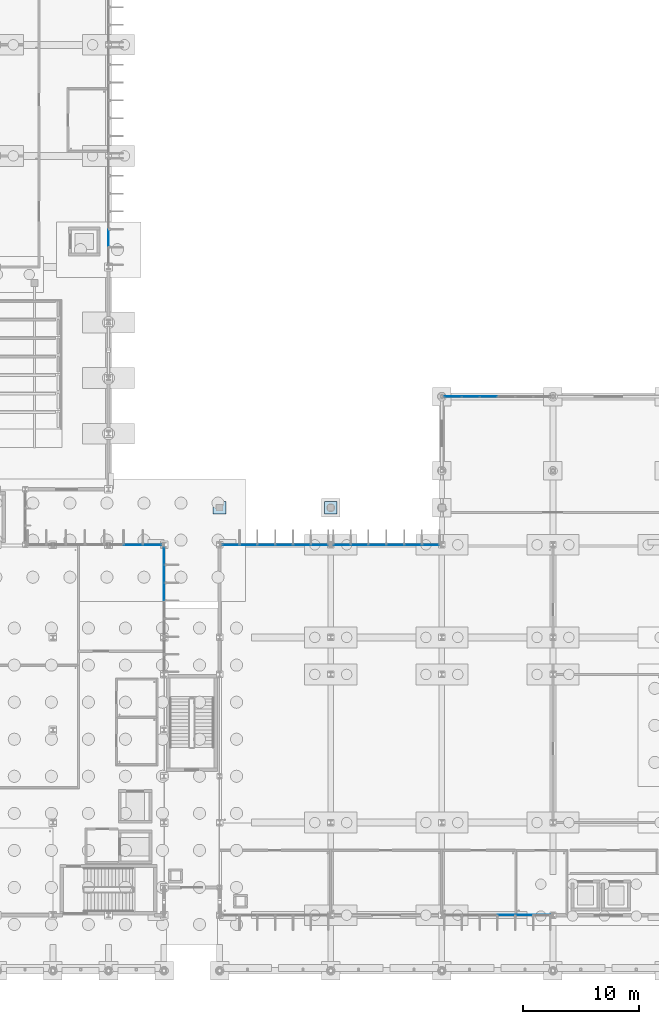
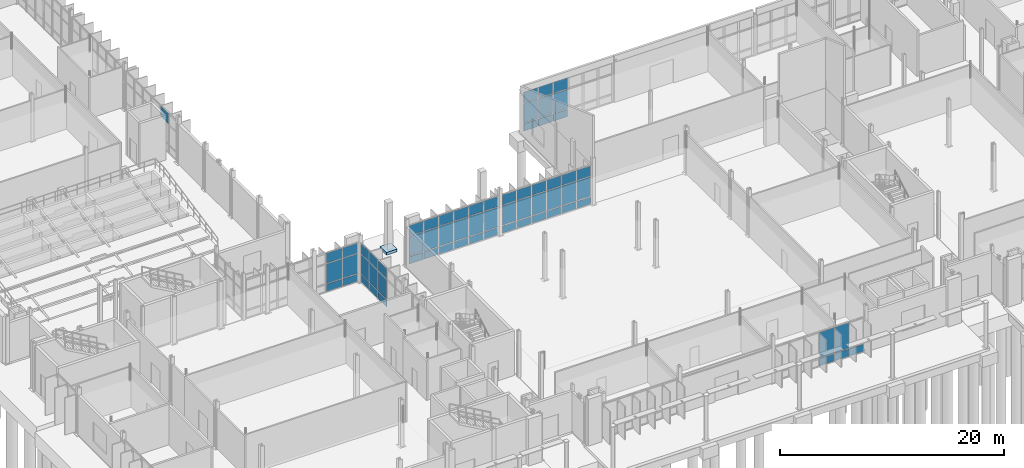
# One storey, part 43 of 111: 66 plates, 2 slabs, 7 elements without a shape of their own.
"""IFC4 building model written with IfcOpenShell, lengths in metres."""

from ifc_helpers import new_model, si_unit, direction, frame, origin, origin_2d, place, context, subcontext, project, spatial, polyline, rectangle, outline, extrude, material, layer, layer_set, type_object, element, aggregate, save


model = new_model("IFC4")

# Units and contexts
model_context = context("Model", 3, precision=1e-05, world=origin(), true_north=direction((0.0, 1.0)))
body_context = subcontext(model_context, "Body", "Model", "MODEL_VIEW")
ifc_project = project(units=[si_unit("LENGTHUNIT", "METRE"), si_unit("AREAUNIT", "SQUARE_METRE"), si_unit("VOLUMEUNIT", "CUBIC_METRE"), si_unit("PLANEANGLEUNIT", "RADIAN"), si_unit("MASSUNIT", "GRAM", prefix="KILO")], contexts=[model_context])

# Site, building, storey
site_placement = place(None, origin())
site = spatial("IfcSite", under=ifc_project, at=site_placement, CompositionType="ELEMENT")
building_placement = place(site_placement, origin())
building = spatial("IfcBuilding", under=site, at=building_placement, Name="Dunescarp Central Library", CompositionType="ELEMENT")
storey_placement = place(building_placement, origin())
storey = spatial("IfcBuildingStorey", under=building, at=storey_placement, Name="L00", CompositionType="ELEMENT", Elevation=0.0)

# Curtain wall, plates
ifc_material_1 = material(Name="Marine-grade anodised aluminium 6063-T6", Category="aluminium")
curtain_wall_type = type_object("IfcCurtainWallType", Name="ARC-CW-STICK", PredefinedType="NOTDEFINED", material=ifc_material_1)
curtain_wall_1_placement = place(storey_placement, origin())
curtain_wall_1 = element("IfcCurtainWall", 1, at=curtain_wall_1_placement, inside=storey, type_object=curtain_wall_type, Name="L00 curtain wall CW-V1-002", PredefinedType="NOTDEFINED")
ifc_material_2 = material(Name="Solar-control laminated double glazing", Category="glass")
ifc_layer_1 = layer(ifc_material_2, 0.028076171875)
ifc_layer_set_1 = layer_set([ifc_layer_1], Name="Solar-control laminated double glazing")
plate_type_1 = type_object("IfcPlateType", Name="ARC-PLT-GLZ28", PredefinedType="CURTAIN_PANEL", material=ifc_layer_set_1)
plate_1_placement = place(storey_placement, frame((30.928466796875, 36.800048828125, 0.93994140625), z_axis=(0.0, 0.0, 1.0), x_axis=(1.0, 0.0, 0.0)))
plate_1 = element("IfcPlate", 2, at=plate_1_placement, type_object=plate_type_1, Name="CW-V1-002 panel 6.2", PredefinedType="CURTAIN_PANEL", context=body_context, shape_type="SweptSolid", body=[
    extrude(rectangle(XDim=1.584228515625, YDim=0.028076171875, at=origin_2d()), origin(), (0.0, 0.0, 1.0), 2.1201171875),
])
plate_2_placement = place(storey_placement, frame((30.928466796875, 36.800048828125, 3.14013671875), z_axis=(0.0, 0.0, 1.0), x_axis=(1.0, 0.0, 0.0)))
plate_2 = element("IfcPlate", 3, at=plate_2_placement, type_object=plate_type_1, Name="CW-V1-002 panel 6.3", PredefinedType="CURTAIN_PANEL", context=body_context, shape_type="SweptSolid", body=[
    extrude(rectangle(XDim=1.584228515625, YDim=0.028076171875, at=origin_2d()), origin(), (0.0, 0.0, 1.0), 1.0849609375),
])
plate_3_placement = place(storey_placement, frame((32.57275390625, 36.800048828125, 0.93994140625), z_axis=(0.0, 0.0, 1.0), x_axis=(1.0, 0.0, 0.0)))
plate_3 = element("IfcPlate", 4, at=plate_3_placement, type_object=plate_type_1, Name="CW-V1-002 panel 7.2", PredefinedType="CURTAIN_PANEL", context=body_context, shape_type="SweptSolid", body=[
    extrude(rectangle(XDim=1.544189453125, YDim=0.028076171875, at=origin_2d()), origin(), (0.0, 0.0, 1.0), 2.1201171875),
])
plate_4_placement = place(storey_placement, frame((32.57275390625, 36.800048828125, 3.14013671875), z_axis=(0.0, 0.0, 1.0), x_axis=(1.0, 0.0, 0.0)))
plate_4 = element("IfcPlate", 5, at=plate_4_placement, type_object=plate_type_1, Name="CW-V1-002 panel 7.3", PredefinedType="CURTAIN_PANEL", context=body_context, shape_type="SweptSolid", body=[
    extrude(rectangle(XDim=1.544189453125, YDim=0.028076171875, at=origin_2d()), origin(), (0.0, 0.0, 1.0), 1.0849609375),
])

curtain_wall_2_placement = place(storey_placement, origin())
curtain_wall_2 = element("IfcCurtainWall", 6, at=curtain_wall_2_placement, inside=storey, type_object=curtain_wall_type, Name="L00 curtain wall CW-V1-005", PredefinedType="NOTDEFINED")
plate_5_placement = place(storey_placement, frame((33.60009765625, 35.830078125, 0.93994140625), z_axis=(0.0, 0.0, 1.0), x_axis=(0.0, -1.0, 0.0)))
plate_5 = element("IfcPlate", 7, at=plate_5_placement, type_object=plate_type_1, Name="CW-V1-005 panel 1.2", PredefinedType="CURTAIN_PANEL", context=body_context, shape_type="SweptSolid", body=[
    extrude(rectangle(XDim=1.429931640625, YDim=0.028076171875, at=origin_2d()), origin(), (0.0, 0.0, 1.0), 2.1201171875),
])
plate_6_placement = place(storey_placement, frame((33.60009765625, 35.830078125, 3.14013671875), z_axis=(0.0, 0.0, 1.0), x_axis=(0.0, -1.0, 0.0)))
plate_6 = element("IfcPlate", 8, at=plate_6_placement, type_object=plate_type_1, Name="CW-V1-005 panel 1.3", PredefinedType="CURTAIN_PANEL", context=body_context, shape_type="SweptSolid", body=[
    extrude(rectangle(XDim=1.429931640625, YDim=0.028076171875, at=origin_2d()), origin(), (0.0, 0.0, 1.0), 1.0849609375),
])
plate_7_placement = place(storey_placement, frame((33.60009765625, 34.300048828125, 0.93994140625), z_axis=(0.0, 0.0, 1.0), x_axis=(0.0, -1.0, 0.0)))
plate_7 = element("IfcPlate", 9, at=plate_7_placement, type_object=plate_type_1, Name="CW-V1-005 panel 2.2", PredefinedType="CURTAIN_PANEL", context=body_context, shape_type="SweptSolid", body=[
    extrude(rectangle(XDim=1.469970703125, YDim=0.028076171875, at=origin_2d()), origin(), (0.0, 0.0, 1.0), 2.1201171875),
])
plate_8_placement = place(storey_placement, frame((33.60009765625, 34.300048828125, 3.14013671875), z_axis=(0.0, 0.0, 1.0), x_axis=(0.0, -1.0, 0.0)))
plate_8 = element("IfcPlate", 10, at=plate_8_placement, type_object=plate_type_1, Name="CW-V1-005 panel 2.3", PredefinedType="CURTAIN_PANEL", context=body_context, shape_type="SweptSolid", body=[
    extrude(rectangle(XDim=1.469970703125, YDim=0.028076171875, at=origin_2d()), origin(), (0.0, 0.0, 1.0), 1.0849609375),
])
plate_9_placement = place(storey_placement, frame((33.60009765625, 32.75, 0.93994140625), z_axis=(0.0, 0.0, 1.0), x_axis=(0.0, -1.0, 0.0)))
plate_9 = element("IfcPlate", 11, at=plate_9_placement, type_object=plate_type_1, Name="CW-V1-005 panel 3.2", PredefinedType="CURTAIN_PANEL", context=body_context, shape_type="SweptSolid", body=[
    extrude(rectangle(XDim=1.469970703125, YDim=0.028076171875, at=origin_2d()), origin(), (0.0, 0.0, 1.0), 2.1201171875),
])
plate_10_placement = place(storey_placement, frame((33.60009765625, 32.75, 3.14013671875), z_axis=(0.0, 0.0, 1.0), x_axis=(0.0, -1.0, 0.0)))
plate_10 = element("IfcPlate", 12, at=plate_10_placement, type_object=plate_type_1, Name="CW-V1-005 panel 3.3", PredefinedType="CURTAIN_PANEL", context=body_context, shape_type="SweptSolid", body=[
    extrude(rectangle(XDim=1.469970703125, YDim=0.028076171875, at=origin_2d()), origin(), (0.0, 0.0, 1.0), 1.0849609375),
])

curtain_wall_3_placement = place(storey_placement, origin())
curtain_wall_3 = element("IfcCurtainWall", 13, at=curtain_wall_3_placement, inside=storey, type_object=curtain_wall_type, Name="L00 curtain wall CW-V2-045", PredefinedType="NOTDEFINED")
plate_11_placement = place(storey_placement, frame((64.71240234375, 4.800048828125, 0.93994140625), z_axis=(0.0, 0.0, 1.0), x_axis=(-1.0, 0.0, 0.0)))
plate_11 = element("IfcPlate", 14, at=plate_11_placement, type_object=plate_type_1, Name="CW-V2-045 panel 2.2", PredefinedType="CURTAIN_PANEL", context=body_context, shape_type="SweptSolid", body=[
    extrude(rectangle(XDim=1.461669921875, YDim=0.028076171875, at=origin_2d()), origin(), (0.0, 0.0, 1.0), 2.784912109375),
])
plate_12_placement = place(storey_placement, frame((63.1708984375, 4.800048828125, 0.93994140625), z_axis=(0.0, 0.0, 1.0), x_axis=(-1.0, 0.0, 0.0)))
plate_12 = element("IfcPlate", 15, at=plate_12_placement, type_object=plate_type_1, Name="CW-V2-045 panel 3.2", PredefinedType="CURTAIN_PANEL", context=body_context, shape_type="SweptSolid", body=[
    extrude(rectangle(XDim=1.461669921875, YDim=0.028076171875, at=origin_2d()), origin(), (0.0, 0.0, 1.0), 2.784912109375),
])

curtain_wall_4_placement = place(storey_placement, origin())
curtain_wall_4 = element("IfcCurtainWall", 16, at=curtain_wall_4_placement, inside=storey, type_object=curtain_wall_type, Name="L00 curtain wall CW-V2-046", PredefinedType="NOTDEFINED")
plate_13_placement = place(storey_placement, frame((39.36572265625, 36.800048828125, 0.93994140625), z_axis=(0.0, 0.0, 1.0), x_axis=(1.0, 0.0, 0.0)))
plate_13 = element("IfcPlate", 17, at=plate_13_placement, type_object=plate_type_1, Name="CW-V2-046 panel 1.2", PredefinedType="CURTAIN_PANEL", context=body_context, shape_type="SweptSolid", body=[
    extrude(rectangle(XDim=1.421630859375, YDim=0.028076171875, at=origin_2d()), origin(), (0.0, 0.0, 1.0), 2.1201171875),
])
plate_14_placement = place(storey_placement, frame((39.36572265625, 36.800048828125, 3.14013671875), z_axis=(0.0, 0.0, 1.0), x_axis=(1.0, 0.0, 0.0)))
plate_14 = element("IfcPlate", 18, at=plate_14_placement, type_object=plate_type_1, Name="CW-V2-046 panel 1.3", PredefinedType="CURTAIN_PANEL", context=body_context, shape_type="SweptSolid", body=[
    extrude(rectangle(XDim=1.421630859375, YDim=0.028076171875, at=origin_2d()), origin(), (0.0, 0.0, 1.0), 1.094970703125),
])
plate_15_placement = place(storey_placement, frame((40.887451171875, 36.800048828125, 0.93994140625), z_axis=(0.0, 0.0, 1.0), x_axis=(1.0, 0.0, 0.0)))
plate_15 = element("IfcPlate", 19, at=plate_15_placement, type_object=plate_type_1, Name="CW-V2-046 panel 2.2", PredefinedType="CURTAIN_PANEL", context=body_context, shape_type="SweptSolid", body=[
    extrude(rectangle(XDim=1.461669921875, YDim=0.028076171875, at=origin_2d()), origin(), (0.0, 0.0, 1.0), 2.1201171875),
])
plate_16_placement = place(storey_placement, frame((40.887451171875, 36.800048828125, 3.14013671875), z_axis=(0.0, 0.0, 1.0), x_axis=(1.0, 0.0, 0.0)))
plate_16 = element("IfcPlate", 20, at=plate_16_placement, type_object=plate_type_1, Name="CW-V2-046 panel 2.3", PredefinedType="CURTAIN_PANEL", context=body_context, shape_type="SweptSolid", body=[
    extrude(rectangle(XDim=1.461669921875, YDim=0.028076171875, at=origin_2d()), origin(), (0.0, 0.0, 1.0), 1.094970703125),
])
plate_17_placement = place(storey_placement, frame((42.42919921875, 36.800048828125, 0.93994140625), z_axis=(0.0, 0.0, 1.0), x_axis=(1.0, 0.0, 0.0)))
plate_17 = element("IfcPlate", 21, at=plate_17_placement, type_object=plate_type_1, Name="CW-V2-046 panel 3.2", PredefinedType="CURTAIN_PANEL", context=body_context, shape_type="SweptSolid", body=[
    extrude(rectangle(XDim=1.461669921875, YDim=0.028076171875, at=origin_2d()), origin(), (0.0, 0.0, 1.0), 2.1201171875),
])
plate_18_placement = place(storey_placement, frame((42.42919921875, 36.800048828125, 3.14013671875), z_axis=(0.0, 0.0, 1.0), x_axis=(1.0, 0.0, 0.0)))
plate_18 = element("IfcPlate", 22, at=plate_18_placement, type_object=plate_type_1, Name="CW-V2-046 panel 3.3", PredefinedType="CURTAIN_PANEL", context=body_context, shape_type="SweptSolid", body=[
    extrude(rectangle(XDim=1.461669921875, YDim=0.028076171875, at=origin_2d()), origin(), (0.0, 0.0, 1.0), 1.094970703125),
])
plate_19_placement = place(storey_placement, frame((43.970947265625, 36.800048828125, 0.93994140625), z_axis=(0.0, 0.0, 1.0), x_axis=(1.0, 0.0, 0.0)))
plate_19 = element("IfcPlate", 23, at=plate_19_placement, type_object=plate_type_1, Name="CW-V2-046 panel 4.2", PredefinedType="CURTAIN_PANEL", context=body_context, shape_type="SweptSolid", body=[
    extrude(rectangle(XDim=1.461669921875, YDim=0.028076171875, at=origin_2d()), origin(), (0.0, 0.0, 1.0), 2.1201171875),
])
plate_20_placement = place(storey_placement, frame((43.970947265625, 36.800048828125, 3.14013671875), z_axis=(0.0, 0.0, 1.0), x_axis=(1.0, 0.0, 0.0)))
plate_20 = element("IfcPlate", 24, at=plate_20_placement, type_object=plate_type_1, Name="CW-V2-046 panel 4.3", PredefinedType="CURTAIN_PANEL", context=body_context, shape_type="SweptSolid", body=[
    extrude(rectangle(XDim=1.461669921875, YDim=0.028076171875, at=origin_2d()), origin(), (0.0, 0.0, 1.0), 1.094970703125),
])
plate_21_placement = place(storey_placement, frame((45.512451171875, 36.800048828125, 0.93994140625), z_axis=(0.0, 0.0, 1.0), x_axis=(1.0, 0.0, 0.0)))
plate_21 = element("IfcPlate", 25, at=plate_21_placement, type_object=plate_type_1, Name="CW-V2-046 panel 5.2", PredefinedType="CURTAIN_PANEL", context=body_context, shape_type="SweptSolid", body=[
    extrude(rectangle(XDim=1.461669921875, YDim=0.028076171875, at=origin_2d()), origin(), (0.0, 0.0, 1.0), 2.1201171875),
])
plate_22_placement = place(storey_placement, frame((45.512451171875, 36.800048828125, 3.14013671875), z_axis=(0.0, 0.0, 1.0), x_axis=(1.0, 0.0, 0.0)))
plate_22 = element("IfcPlate", 26, at=plate_22_placement, type_object=plate_type_1, Name="CW-V2-046 panel 5.3", PredefinedType="CURTAIN_PANEL", context=body_context, shape_type="SweptSolid", body=[
    extrude(rectangle(XDim=1.461669921875, YDim=0.028076171875, at=origin_2d()), origin(), (0.0, 0.0, 1.0), 1.094970703125),
])
plate_23_placement = place(storey_placement, frame((47.0341796875, 36.800048828125, 0.93994140625), z_axis=(0.0, 0.0, 1.0), x_axis=(1.0, 0.0, 0.0)))
plate_23 = element("IfcPlate", 27, at=plate_23_placement, type_object=plate_type_1, Name="CW-V2-046 panel 6.2", PredefinedType="CURTAIN_PANEL", context=body_context, shape_type="SweptSolid", body=[
    extrude(rectangle(XDim=1.421630859375, YDim=0.028076171875, at=origin_2d()), origin(), (0.0, 0.0, 1.0), 2.1201171875),
])
plate_24_placement = place(storey_placement, frame((47.0341796875, 36.800048828125, 3.14013671875), z_axis=(0.0, 0.0, 1.0), x_axis=(1.0, 0.0, 0.0)))
plate_24 = element("IfcPlate", 28, at=plate_24_placement, type_object=plate_type_1, Name="CW-V2-046 panel 6.3", PredefinedType="CURTAIN_PANEL", context=body_context, shape_type="SweptSolid", body=[
    extrude(rectangle(XDim=1.421630859375, YDim=0.028076171875, at=origin_2d()), origin(), (0.0, 0.0, 1.0), 1.094970703125),
])

curtain_wall_5_placement = place(storey_placement, origin())
curtain_wall_5 = element("IfcCurtainWall", 29, at=curtain_wall_5_placement, inside=storey, type_object=curtain_wall_type, Name="L00 curtain wall CW-V2-047", PredefinedType="NOTDEFINED")
plate_25_placement = place(storey_placement, frame((48.9658203125, 36.800048828125, 0.93994140625), z_axis=(0.0, 0.0, 1.0), x_axis=(1.0, 0.0, 0.0)))
plate_25 = element("IfcPlate", 30, at=plate_25_placement, type_object=plate_type_1, Name="CW-V2-047 panel 1.2", PredefinedType="CURTAIN_PANEL", context=body_context, shape_type="SweptSolid", body=[
    extrude(rectangle(XDim=1.421630859375, YDim=0.028076171875, at=origin_2d()), origin(), (0.0, 0.0, 1.0), 2.1201171875),
])
plate_26_placement = place(storey_placement, frame((48.9658203125, 36.800048828125, 3.14013671875), z_axis=(0.0, 0.0, 1.0), x_axis=(1.0, 0.0, 0.0)))
plate_26 = element("IfcPlate", 31, at=plate_26_placement, type_object=plate_type_1, Name="CW-V2-047 panel 1.3", PredefinedType="CURTAIN_PANEL", context=body_context, shape_type="SweptSolid", body=[
    extrude(rectangle(XDim=1.421630859375, YDim=0.028076171875, at=origin_2d()), origin(), (0.0, 0.0, 1.0), 1.094970703125),
])
plate_27_placement = place(storey_placement, frame((50.487548828125, 36.800048828125, 0.93994140625), z_axis=(0.0, 0.0, 1.0), x_axis=(1.0, 0.0, 0.0)))
plate_27 = element("IfcPlate", 32, at=plate_27_placement, type_object=plate_type_1, Name="CW-V2-047 panel 2.2", PredefinedType="CURTAIN_PANEL", context=body_context, shape_type="SweptSolid", body=[
    extrude(rectangle(XDim=1.461669921875, YDim=0.028076171875, at=origin_2d()), origin(), (0.0, 0.0, 1.0), 2.1201171875),
])
plate_28_placement = place(storey_placement, frame((50.487548828125, 36.800048828125, 3.14013671875), z_axis=(0.0, 0.0, 1.0), x_axis=(1.0, 0.0, 0.0)))
plate_28 = element("IfcPlate", 33, at=plate_28_placement, type_object=plate_type_1, Name="CW-V2-047 panel 2.3", PredefinedType="CURTAIN_PANEL", context=body_context, shape_type="SweptSolid", body=[
    extrude(rectangle(XDim=1.461669921875, YDim=0.028076171875, at=origin_2d()), origin(), (0.0, 0.0, 1.0), 1.094970703125),
])
plate_29_placement = place(storey_placement, frame((52.029052734375, 36.800048828125, 0.93994140625), z_axis=(0.0, 0.0, 1.0), x_axis=(1.0, 0.0, 0.0)))
plate_29 = element("IfcPlate", 34, at=plate_29_placement, type_object=plate_type_1, Name="CW-V2-047 panel 3.2", PredefinedType="CURTAIN_PANEL", context=body_context, shape_type="SweptSolid", body=[
    extrude(rectangle(XDim=1.461669921875, YDim=0.028076171875, at=origin_2d()), origin(), (0.0, 0.0, 1.0), 2.1201171875),
])
plate_30_placement = place(storey_placement, frame((52.029052734375, 36.800048828125, 3.14013671875), z_axis=(0.0, 0.0, 1.0), x_axis=(1.0, 0.0, 0.0)))
plate_30 = element("IfcPlate", 35, at=plate_30_placement, type_object=plate_type_1, Name="CW-V2-047 panel 3.3", PredefinedType="CURTAIN_PANEL", context=body_context, shape_type="SweptSolid", body=[
    extrude(rectangle(XDim=1.461669921875, YDim=0.028076171875, at=origin_2d()), origin(), (0.0, 0.0, 1.0), 1.094970703125),
])
plate_31_placement = place(storey_placement, frame((53.57080078125, 36.800048828125, 0.93994140625), z_axis=(0.0, 0.0, 1.0), x_axis=(1.0, 0.0, 0.0)))
plate_31 = element("IfcPlate", 36, at=plate_31_placement, type_object=plate_type_1, Name="CW-V2-047 panel 4.2", PredefinedType="CURTAIN_PANEL", context=body_context, shape_type="SweptSolid", body=[
    extrude(rectangle(XDim=1.461669921875, YDim=0.028076171875, at=origin_2d()), origin(), (0.0, 0.0, 1.0), 2.1201171875),
])
plate_32_placement = place(storey_placement, frame((53.57080078125, 36.800048828125, 3.14013671875), z_axis=(0.0, 0.0, 1.0), x_axis=(1.0, 0.0, 0.0)))
plate_32 = element("IfcPlate", 37, at=plate_32_placement, type_object=plate_type_1, Name="CW-V2-047 panel 4.3", PredefinedType="CURTAIN_PANEL", context=body_context, shape_type="SweptSolid", body=[
    extrude(rectangle(XDim=1.461669921875, YDim=0.028076171875, at=origin_2d()), origin(), (0.0, 0.0, 1.0), 1.094970703125),
])
plate_33_placement = place(storey_placement, frame((55.112548828125, 36.800048828125, 0.93994140625), z_axis=(0.0, 0.0, 1.0), x_axis=(1.0, 0.0, 0.0)))
plate_33 = element("IfcPlate", 38, at=plate_33_placement, type_object=plate_type_1, Name="CW-V2-047 panel 5.2", PredefinedType="CURTAIN_PANEL", context=body_context, shape_type="SweptSolid", body=[
    extrude(rectangle(XDim=1.461669921875, YDim=0.028076171875, at=origin_2d()), origin(), (0.0, 0.0, 1.0), 2.1201171875),
])
plate_34_placement = place(storey_placement, frame((55.112548828125, 36.800048828125, 3.14013671875), z_axis=(0.0, 0.0, 1.0), x_axis=(1.0, 0.0, 0.0)))
plate_34 = element("IfcPlate", 39, at=plate_34_placement, type_object=plate_type_1, Name="CW-V2-047 panel 5.3", PredefinedType="CURTAIN_PANEL", context=body_context, shape_type="SweptSolid", body=[
    extrude(rectangle(XDim=1.461669921875, YDim=0.028076171875, at=origin_2d()), origin(), (0.0, 0.0, 1.0), 1.094970703125),
])
plate_35_placement = place(storey_placement, frame((56.63427734375, 36.800048828125, 0.93994140625), z_axis=(0.0, 0.0, 1.0), x_axis=(1.0, 0.0, 0.0)))
plate_35 = element("IfcPlate", 40, at=plate_35_placement, type_object=plate_type_1, Name="CW-V2-047 panel 6.2", PredefinedType="CURTAIN_PANEL", context=body_context, shape_type="SweptSolid", body=[
    extrude(rectangle(XDim=1.421630859375, YDim=0.028076171875, at=origin_2d()), origin(), (0.0, 0.0, 1.0), 2.1201171875),
])
plate_36_placement = place(storey_placement, frame((56.63427734375, 36.800048828125, 3.14013671875), z_axis=(0.0, 0.0, 1.0), x_axis=(1.0, 0.0, 0.0)))
plate_36 = element("IfcPlate", 41, at=plate_36_placement, type_object=plate_type_1, Name="CW-V2-047 panel 6.3", PredefinedType="CURTAIN_PANEL", context=body_context, shape_type="SweptSolid", body=[
    extrude(rectangle(XDim=1.421630859375, YDim=0.028076171875, at=origin_2d()), origin(), (0.0, 0.0, 1.0), 1.094970703125),
])

# Curtain wall, plate
curtain_wall_6_placement = place(storey_placement, origin())
curtain_wall_6 = element("IfcCurtainWall", 42, at=curtain_wall_6_placement, inside=storey, type_object=curtain_wall_type, Name="L00 curtain wall CW-V4-113", PredefinedType="NOTDEFINED")
plate_37_placement = place(storey_placement, frame((28.800048828125, 63.28759765625, 3.139892578125), z_axis=(0.0, 0.0, 1.0), x_axis=(0.0, -1.0, 0.0)))
plate_37 = element("IfcPlate", 43, at=plate_37_placement, type_object=plate_type_1, Name="CW-V4-113 panel 5.3", PredefinedType="CURTAIN_PANEL", context=body_context, shape_type="SweptSolid", body=[
    extrude(rectangle(XDim=1.461669921875, YDim=0.028076171875, at=origin_2d()), origin(), (0.0, 0.0, 1.0), 1.10205078125),
])
aggregate(curtain_wall_6, [plate_37])

# Curtain wall, plates
curtain_wall_7_placement = place(storey_placement, origin())
curtain_wall_7 = element("IfcCurtainWall", 44, at=curtain_wall_7_placement, inside=storey, type_object=curtain_wall_type, Name="L00 curtain wall CW-CLN-189", PredefinedType="NOTDEFINED")
plate_38_placement = place(storey_placement, frame((58.56591796875, 49.60009765625, 0.93994140625), z_axis=(0.0, 0.0, 1.0), x_axis=(1.0, 0.0, 0.0)))
plate_38 = element("IfcPlate", 45, at=plate_38_placement, type_object=plate_type_1, Name="CW-CLN-189 panel 1.2", PredefinedType="CURTAIN_PANEL", context=body_context, shape_type="SweptSolid", body=[
    extrude(rectangle(XDim=1.421630859375, YDim=0.028076171875, at=origin_2d()), origin(), (0.0, 0.0, 1.0), 2.1201171875),
])
plate_39_placement = place(storey_placement, frame((58.56591796875, 49.60009765625, 3.14013671875), z_axis=(0.0, 0.0, 1.0), x_axis=(1.0, 0.0, 0.0)))
plate_39 = element("IfcPlate", 46, at=plate_39_placement, type_object=plate_type_1, Name="CW-CLN-189 panel 1.3", PredefinedType="CURTAIN_PANEL", context=body_context, shape_type="SweptSolid", body=[
    extrude(rectangle(XDim=1.421630859375, YDim=0.028076171875, at=origin_2d()), origin(), (0.0, 0.0, 1.0), 1.152099609375),
])
plate_40_placement = place(storey_placement, frame((60.08740234375, 49.60009765625, 0.93994140625), z_axis=(0.0, 0.0, 1.0), x_axis=(1.0, 0.0, 0.0)))
plate_40 = element("IfcPlate", 47, at=plate_40_placement, type_object=plate_type_1, Name="CW-CLN-189 panel 2.2", PredefinedType="CURTAIN_PANEL", context=body_context, shape_type="SweptSolid", body=[
    extrude(rectangle(XDim=1.461669921875, YDim=0.028076171875, at=origin_2d()), origin(), (0.0, 0.0, 1.0), 2.1201171875),
])
plate_41_placement = place(storey_placement, frame((60.08740234375, 49.60009765625, 3.14013671875), z_axis=(0.0, 0.0, 1.0), x_axis=(1.0, 0.0, 0.0)))
plate_41 = element("IfcPlate", 48, at=plate_41_placement, type_object=plate_type_1, Name="CW-CLN-189 panel 2.3", PredefinedType="CURTAIN_PANEL", context=body_context, shape_type="SweptSolid", body=[
    extrude(rectangle(XDim=1.461669921875, YDim=0.028076171875, at=origin_2d()), origin(), (0.0, 0.0, 1.0), 1.152099609375),
])
plate_42_placement = place(storey_placement, frame((61.629150390625, 49.60009765625, 0.93994140625), z_axis=(0.0, 0.0, 1.0), x_axis=(1.0, 0.0, 0.0)))
plate_42 = element("IfcPlate", 49, at=plate_42_placement, type_object=plate_type_1, Name="CW-CLN-189 panel 3.2", PredefinedType="CURTAIN_PANEL", context=body_context, shape_type="SweptSolid", body=[
    extrude(rectangle(XDim=1.461669921875, YDim=0.028076171875, at=origin_2d()), origin(), (0.0, 0.0, 1.0), 2.1201171875),
])
plate_43_placement = place(storey_placement, frame((61.629150390625, 49.60009765625, 3.14013671875), z_axis=(0.0, 0.0, 1.0), x_axis=(1.0, 0.0, 0.0)))
plate_43 = element("IfcPlate", 50, at=plate_43_placement, type_object=plate_type_1, Name="CW-CLN-189 panel 3.3", PredefinedType="CURTAIN_PANEL", context=body_context, shape_type="SweptSolid", body=[
    extrude(rectangle(XDim=1.461669921875, YDim=0.028076171875, at=origin_2d()), origin(), (0.0, 0.0, 1.0), 1.152099609375),
])

# Plate
ifc_layer_2 = layer(ifc_material_1, 0.050048828125)
ifc_layer_set_2 = layer_set([ifc_layer_2], Name="Marine-grade anodised aluminium 6063-T6")
plate_type_2 = type_object("IfcPlateType", Name="ARC-PLT-SPN50", PredefinedType="SHEET", material=ifc_layer_set_2)
plate_44_placement = place(storey_placement, frame((30.928466796875, 36.800048828125, 0.080078125), z_axis=(0.0, 0.0, 1.0), x_axis=(1.0, 0.0, 0.0)))
plate_44 = element("IfcPlate", 51, at=plate_44_placement, type_object=plate_type_2, Name="CW-V1-002 panel 6.1", PredefinedType="SHEET", context=body_context, shape_type="SweptSolid", body=[
    extrude(rectangle(XDim=1.584228515625, YDim=0.050048828125, at=origin_2d()), origin(), (0.0, 0.0, 1.0), 0.780029296875),
])

plate_45_placement = place(storey_placement, frame((32.57275390625, 36.800048828125, 0.080078125), z_axis=(0.0, 0.0, 1.0), x_axis=(1.0, 0.0, 0.0)))
plate_45 = element("IfcPlate", 52, at=plate_45_placement, type_object=plate_type_2, Name="CW-V1-002 panel 7.1", PredefinedType="SHEET", context=body_context, shape_type="SweptSolid", body=[
    extrude(rectangle(XDim=1.544189453125, YDim=0.050048828125, at=origin_2d()), origin(), (0.0, 0.0, 1.0), 0.780029296875),
])

aggregate(curtain_wall_1, [plate_44, plate_1, plate_2, plate_45, plate_3, plate_4])

plate_46_placement = place(storey_placement, frame((33.60009765625, 35.830078125, 0.080078125), z_axis=(0.0, 0.0, 1.0), x_axis=(0.0, -1.0, 0.0)))
plate_46 = element("IfcPlate", 53, at=plate_46_placement, type_object=plate_type_2, Name="CW-V1-005 panel 1.1", PredefinedType="SHEET", context=body_context, shape_type="SweptSolid", body=[
    extrude(rectangle(XDim=1.429931640625, YDim=0.050048828125, at=origin_2d()), origin(), (0.0, 0.0, 1.0), 0.780029296875),
])

plate_47_placement = place(storey_placement, frame((33.60009765625, 34.300048828125, 0.080078125), z_axis=(0.0, 0.0, 1.0), x_axis=(0.0, -1.0, 0.0)))
plate_47 = element("IfcPlate", 54, at=plate_47_placement, type_object=plate_type_2, Name="CW-V1-005 panel 2.1", PredefinedType="SHEET", context=body_context, shape_type="SweptSolid", body=[
    extrude(rectangle(XDim=1.469970703125, YDim=0.050048828125, at=origin_2d()), origin(), (0.0, 0.0, 1.0), 0.780029296875),
])

plate_48_placement = place(storey_placement, frame((33.60009765625, 32.75, 0.080078125), z_axis=(0.0, 0.0, 1.0), x_axis=(0.0, -1.0, 0.0)))
plate_48 = element("IfcPlate", 55, at=plate_48_placement, type_object=plate_type_2, Name="CW-V1-005 panel 3.1", PredefinedType="SHEET", context=body_context, shape_type="SweptSolid", body=[
    extrude(rectangle(XDim=1.469970703125, YDim=0.050048828125, at=origin_2d()), origin(), (0.0, 0.0, 1.0), 0.780029296875),
])

aggregate(curtain_wall_2, [plate_46, plate_5, plate_6, plate_47, plate_7, plate_8, plate_48, plate_9, plate_10])

plate_49_placement = place(storey_placement, frame((66.234130859375, 4.800048828125, 0.080078125), z_axis=(0.0, 0.0, 1.0), x_axis=(-1.0, 0.0, 0.0)))
plate_49 = element("IfcPlate", 56, at=plate_49_placement, type_object=plate_type_2, Name="CW-V2-045 panel 1.1", PredefinedType="SHEET", context=body_context, shape_type="SweptSolid", body=[
    extrude(rectangle(XDim=1.421630859375, YDim=0.050048828125, at=origin_2d()), origin(), (0.0, 0.0, 1.0), 0.780029296875),
])

plate_50_placement = place(storey_placement, frame((64.71240234375, 4.800048828125, 0.080078125), z_axis=(0.0, 0.0, 1.0), x_axis=(-1.0, 0.0, 0.0)))
plate_50 = element("IfcPlate", 57, at=plate_50_placement, type_object=plate_type_2, Name="CW-V2-045 panel 2.1", PredefinedType="SHEET", context=body_context, shape_type="SweptSolid", body=[
    extrude(rectangle(XDim=1.461669921875, YDim=0.050048828125, at=origin_2d()), origin(), (0.0, 0.0, 1.0), 0.780029296875),
])

plate_51_placement = place(storey_placement, frame((63.1708984375, 4.800048828125, 0.080078125), z_axis=(0.0, 0.0, 1.0), x_axis=(-1.0, 0.0, 0.0)))
plate_51 = element("IfcPlate", 58, at=plate_51_placement, type_object=plate_type_2, Name="CW-V2-045 panel 3.1", PredefinedType="SHEET", context=body_context, shape_type="SweptSolid", body=[
    extrude(rectangle(XDim=1.461669921875, YDim=0.050048828125, at=origin_2d()), origin(), (0.0, 0.0, 1.0), 0.780029296875),
])

aggregate(curtain_wall_3, [plate_49, plate_50, plate_11, plate_51, plate_12])

plate_52_placement = place(storey_placement, frame((39.36572265625, 36.800048828125, 0.080078125), z_axis=(0.0, 0.0, 1.0), x_axis=(1.0, 0.0, 0.0)))
plate_52 = element("IfcPlate", 59, at=plate_52_placement, type_object=plate_type_2, Name="CW-V2-046 panel 1.1", PredefinedType="SHEET", context=body_context, shape_type="SweptSolid", body=[
    extrude(rectangle(XDim=1.421630859375, YDim=0.050048828125, at=origin_2d()), origin(), (0.0, 0.0, 1.0), 0.780029296875),
])

plate_53_placement = place(storey_placement, frame((40.887451171875, 36.800048828125, 0.080078125), z_axis=(0.0, 0.0, 1.0), x_axis=(1.0, 0.0, 0.0)))
plate_53 = element("IfcPlate", 60, at=plate_53_placement, type_object=plate_type_2, Name="CW-V2-046 panel 2.1", PredefinedType="SHEET", context=body_context, shape_type="SweptSolid", body=[
    extrude(rectangle(XDim=1.461669921875, YDim=0.050048828125, at=origin_2d()), origin(), (0.0, 0.0, 1.0), 0.780029296875),
])

plate_54_placement = place(storey_placement, frame((42.42919921875, 36.800048828125, 0.080078125), z_axis=(0.0, 0.0, 1.0), x_axis=(1.0, 0.0, 0.0)))
plate_54 = element("IfcPlate", 61, at=plate_54_placement, type_object=plate_type_2, Name="CW-V2-046 panel 3.1", PredefinedType="SHEET", context=body_context, shape_type="SweptSolid", body=[
    extrude(rectangle(XDim=1.461669921875, YDim=0.050048828125, at=origin_2d()), origin(), (0.0, 0.0, 1.0), 0.780029296875),
])

plate_55_placement = place(storey_placement, frame((43.970947265625, 36.800048828125, 0.080078125), z_axis=(0.0, 0.0, 1.0), x_axis=(1.0, 0.0, 0.0)))
plate_55 = element("IfcPlate", 62, at=plate_55_placement, type_object=plate_type_2, Name="CW-V2-046 panel 4.1", PredefinedType="SHEET", context=body_context, shape_type="SweptSolid", body=[
    extrude(rectangle(XDim=1.461669921875, YDim=0.050048828125, at=origin_2d()), origin(), (0.0, 0.0, 1.0), 0.780029296875),
])

plate_56_placement = place(storey_placement, frame((45.512451171875, 36.800048828125, 0.080078125), z_axis=(0.0, 0.0, 1.0), x_axis=(1.0, 0.0, 0.0)))
plate_56 = element("IfcPlate", 63, at=plate_56_placement, type_object=plate_type_2, Name="CW-V2-046 panel 5.1", PredefinedType="SHEET", context=body_context, shape_type="SweptSolid", body=[
    extrude(rectangle(XDim=1.461669921875, YDim=0.050048828125, at=origin_2d()), origin(), (0.0, 0.0, 1.0), 0.780029296875),
])

plate_57_placement = place(storey_placement, frame((47.0341796875, 36.800048828125, 0.080078125), z_axis=(0.0, 0.0, 1.0), x_axis=(1.0, 0.0, 0.0)))
plate_57 = element("IfcPlate", 64, at=plate_57_placement, type_object=plate_type_2, Name="CW-V2-046 panel 6.1", PredefinedType="SHEET", context=body_context, shape_type="SweptSolid", body=[
    extrude(rectangle(XDim=1.421630859375, YDim=0.050048828125, at=origin_2d()), origin(), (0.0, 0.0, 1.0), 0.780029296875),
])

aggregate(curtain_wall_4, [plate_52, plate_13, plate_14, plate_53, plate_15, plate_16, plate_54, plate_17, plate_18, plate_55, plate_19, plate_20, plate_56, plate_21, plate_22, plate_57, plate_23, plate_24])

plate_58_placement = place(storey_placement, frame((48.9658203125, 36.800048828125, 0.080078125), z_axis=(0.0, 0.0, 1.0), x_axis=(1.0, 0.0, 0.0)))
plate_58 = element("IfcPlate", 65, at=plate_58_placement, type_object=plate_type_2, Name="CW-V2-047 panel 1.1", PredefinedType="SHEET", context=body_context, shape_type="SweptSolid", body=[
    extrude(rectangle(XDim=1.421630859375, YDim=0.050048828125, at=origin_2d()), origin(), (0.0, 0.0, 1.0), 0.780029296875),
])

plate_59_placement = place(storey_placement, frame((50.487548828125, 36.800048828125, 0.080078125), z_axis=(0.0, 0.0, 1.0), x_axis=(1.0, 0.0, 0.0)))
plate_59 = element("IfcPlate", 66, at=plate_59_placement, type_object=plate_type_2, Name="CW-V2-047 panel 2.1", PredefinedType="SHEET", context=body_context, shape_type="SweptSolid", body=[
    extrude(rectangle(XDim=1.461669921875, YDim=0.050048828125, at=origin_2d()), origin(), (0.0, 0.0, 1.0), 0.780029296875),
])

plate_60_placement = place(storey_placement, frame((52.029052734375, 36.800048828125, 0.080078125), z_axis=(0.0, 0.0, 1.0), x_axis=(1.0, 0.0, 0.0)))
plate_60 = element("IfcPlate", 67, at=plate_60_placement, type_object=plate_type_2, Name="CW-V2-047 panel 3.1", PredefinedType="SHEET", context=body_context, shape_type="SweptSolid", body=[
    extrude(rectangle(XDim=1.461669921875, YDim=0.050048828125, at=origin_2d()), origin(), (0.0, 0.0, 1.0), 0.780029296875),
])

plate_61_placement = place(storey_placement, frame((53.57080078125, 36.800048828125, 0.080078125), z_axis=(0.0, 0.0, 1.0), x_axis=(1.0, 0.0, 0.0)))
plate_61 = element("IfcPlate", 68, at=plate_61_placement, type_object=plate_type_2, Name="CW-V2-047 panel 4.1", PredefinedType="SHEET", context=body_context, shape_type="SweptSolid", body=[
    extrude(rectangle(XDim=1.461669921875, YDim=0.050048828125, at=origin_2d()), origin(), (0.0, 0.0, 1.0), 0.780029296875),
])

plate_62_placement = place(storey_placement, frame((55.112548828125, 36.800048828125, 0.080078125), z_axis=(0.0, 0.0, 1.0), x_axis=(1.0, 0.0, 0.0)))
plate_62 = element("IfcPlate", 69, at=plate_62_placement, type_object=plate_type_2, Name="CW-V2-047 panel 5.1", PredefinedType="SHEET", context=body_context, shape_type="SweptSolid", body=[
    extrude(rectangle(XDim=1.461669921875, YDim=0.050048828125, at=origin_2d()), origin(), (0.0, 0.0, 1.0), 0.780029296875),
])

plate_63_placement = place(storey_placement, frame((56.63427734375, 36.800048828125, 0.080078125), z_axis=(0.0, 0.0, 1.0), x_axis=(1.0, 0.0, 0.0)))
plate_63 = element("IfcPlate", 70, at=plate_63_placement, type_object=plate_type_2, Name="CW-V2-047 panel 6.1", PredefinedType="SHEET", context=body_context, shape_type="SweptSolid", body=[
    extrude(rectangle(XDim=1.421630859375, YDim=0.050048828125, at=origin_2d()), origin(), (0.0, 0.0, 1.0), 0.780029296875),
])

aggregate(curtain_wall_5, [plate_58, plate_25, plate_26, plate_59, plate_27, plate_28, plate_60, plate_29, plate_30, plate_61, plate_31, plate_32, plate_62, plate_33, plate_34, plate_63, plate_35, plate_36])

plate_64_placement = place(storey_placement, frame((58.56591796875, 49.60009765625, 0.080078125), z_axis=(0.0, 0.0, 1.0), x_axis=(1.0, 0.0, 0.0)))
plate_64 = element("IfcPlate", 71, at=plate_64_placement, type_object=plate_type_2, Name="CW-CLN-189 panel 1.1", PredefinedType="SHEET", context=body_context, shape_type="SweptSolid", body=[
    extrude(rectangle(XDim=1.421630859375, YDim=0.050048828125, at=origin_2d()), origin(), (0.0, 0.0, 1.0), 0.780029296875),
])

plate_65_placement = place(storey_placement, frame((60.08740234375, 49.60009765625, 0.080078125), z_axis=(0.0, 0.0, 1.0), x_axis=(1.0, 0.0, 0.0)))
plate_65 = element("IfcPlate", 72, at=plate_65_placement, type_object=plate_type_2, Name="CW-CLN-189 panel 2.1", PredefinedType="SHEET", context=body_context, shape_type="SweptSolid", body=[
    extrude(rectangle(XDim=1.461669921875, YDim=0.050048828125, at=origin_2d()), origin(), (0.0, 0.0, 1.0), 0.780029296875),
])

plate_66_placement = place(storey_placement, frame((61.629150390625, 49.60009765625, 0.080078125), z_axis=(0.0, 0.0, 1.0), x_axis=(1.0, 0.0, 0.0)))
plate_66 = element("IfcPlate", 73, at=plate_66_placement, type_object=plate_type_2, Name="CW-CLN-189 panel 3.1", PredefinedType="SHEET", context=body_context, shape_type="SweptSolid", body=[
    extrude(rectangle(XDim=1.461669921875, YDim=0.050048828125, at=origin_2d()), origin(), (0.0, 0.0, 1.0), 0.780029296875),
])

aggregate(curtain_wall_7, [plate_64, plate_38, plate_39, plate_65, plate_40, plate_41, plate_66, plate_42, plate_43])

# Slabs
ifc_material_3 = material(Name="Concrete C35/45", Category="concrete")
ifc_layer_3 = layer(ifc_material_3, 0.300048828125)
ifc_layer_set_3 = layer_set([ifc_layer_3], Name="Concrete C35/45")
slab_type = type_object("IfcSlabType", Name="STR-SLB-BASE300", PredefinedType="BASESLAB", material=ifc_layer_set_3)
slab_1_placement = place(storey_placement, frame((0.0, 0.0, -0.300048828125)))
element("IfcSlab", 74, at=slab_1_placement, inside=storey, type_object=slab_type, Name="Exterior terrace post plinth TPAD-01", PredefinedType="BASESLAB", context=body_context, shape_type="SweptSolid", body=[
    extrude(outline(polyline([(37.85009765625, 39.449951171875), (38.949951171875, 39.449951171875), (38.949951171875, 40.550048828125), (37.85009765625, 40.550048828125), (37.85009765625, 39.449951171875)])), origin(), (0.0, 0.0, 1.0), 0.300048828125),
])
slab_2_placement = place(storey_placement, frame((0.0, 0.0, -0.300048828125)))
element("IfcSlab", 75, at=slab_2_placement, inside=storey, type_object=slab_type, Name="Exterior terrace post plinth TPAD-02", PredefinedType="BASESLAB", context=body_context, shape_type="SweptSolid", body=[
    extrude(outline(polyline([(47.449951171875, 39.449951171875), (48.550048828125, 39.449951171875), (48.550048828125, 40.550048828125), (47.449951171875, 40.550048828125), (47.449951171875, 39.449951171875)])), origin(), (0.0, 0.0, 1.0), 0.300048828125),
])

save(model, "model.ifc")
